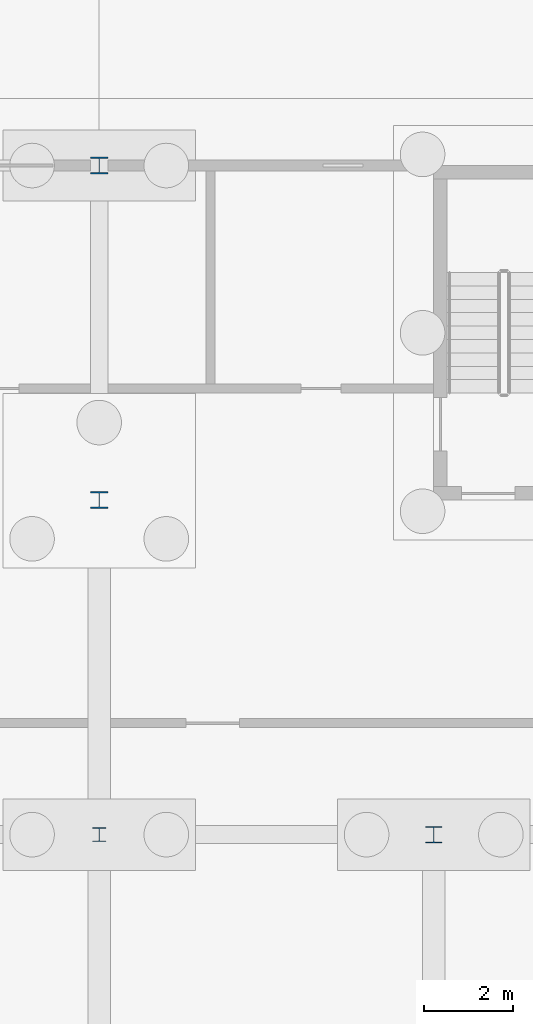
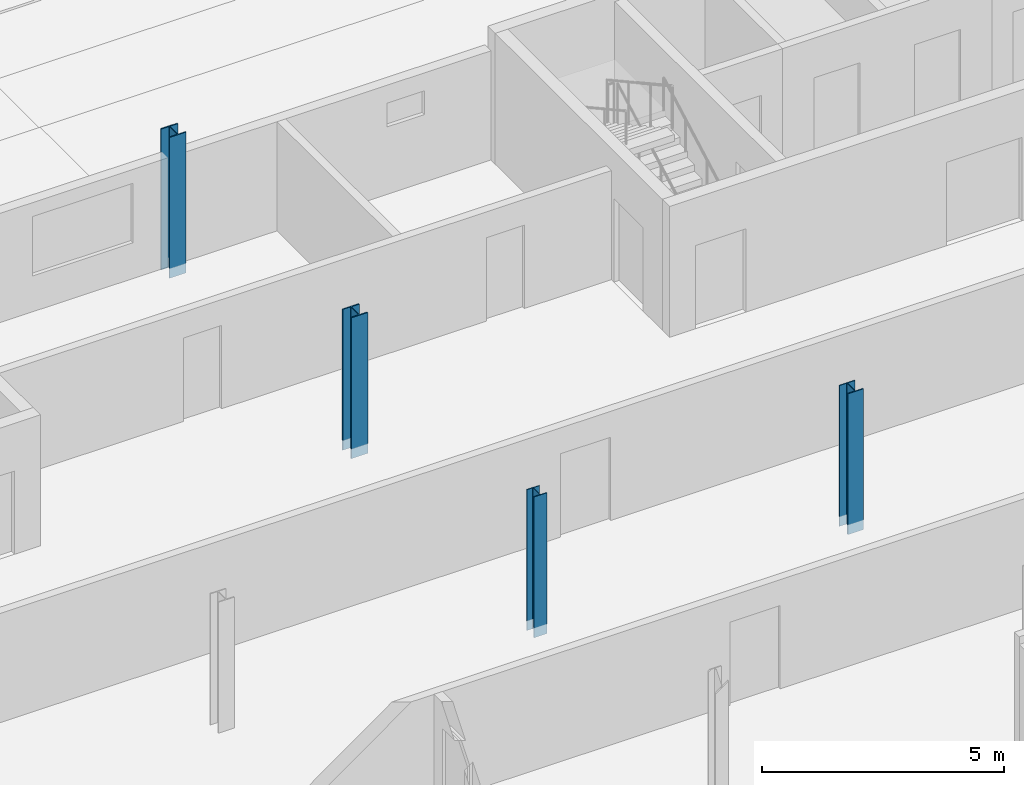
# One storey, part 21 of 130: 4 columns.
"""IFC4 building model written with IfcOpenShell, lengths in metres."""

from ifc_helpers import new_model, si_unit, direction, frame, origin, origin_2d, place, context, subcontext, project, spatial, i_section, extrude, material, material_profile, profile_set, type_object, element, save


model = new_model("IFC4")

# Units and contexts
model_context = context("Model", 3, precision=1e-05, world=origin(), true_north=direction((0.0, 1.0)))
body_context = subcontext(model_context, "Body", "Model", "MODEL_VIEW")
ifc_project = project(units=[si_unit("LENGTHUNIT", "METRE"), si_unit("AREAUNIT", "SQUARE_METRE"), si_unit("VOLUMEUNIT", "CUBIC_METRE"), si_unit("PLANEANGLEUNIT", "RADIAN"), si_unit("MASSUNIT", "GRAM", prefix="KILO")], contexts=[model_context])

# Site, building, storey
site_placement = place(None, origin())
site = spatial("IfcSite", under=ifc_project, at=site_placement, CompositionType="ELEMENT")
building_placement = place(site_placement, origin())
building = spatial("IfcBuilding", under=site, at=building_placement, Name="Parallax Yard Mobility Hub", CompositionType="ELEMENT")
storey_placement = place(building_placement, origin())
storey = spatial("IfcBuildingStorey", under=building, at=storey_placement, Name="L00", CompositionType="ELEMENT", Elevation=0.0)

# Columns
ifc_material = material(Name="Steel ASTM A992", Category="steel")
ifc_material_profile_1 = material_profile(ifc_material, i_section(OverallWidth=0.306884765625, OverallDepth=0.318115234375, WebThickness=0.01318359375, FlangeThickness=0.0205078125, FilletRadius=0.01513671875, at=origin_2d()), Name="W310x129")
ifc_profile_set_1 = profile_set([ifc_material_profile_1], Name="Steel ASTM A992")
column_type_1 = type_object("IfcColumnType", Name="W310x129 column", PredefinedType="COLUMN", material=ifc_profile_set_1)
column_1_placement = place(storey_placement, frame((120.0, 37.5, -0.25), z_axis=(0.0, 0.0, 1.0), x_axis=(1.0, 0.0, 0.0)))
element("IfcColumn", 1, at=column_1_placement, inside=storey, type_object=column_type_1, Name="Column C3 level L00 at F/17 of mobility service centre and workshops", PredefinedType="COLUMN", context=body_context, shape_type="SweptSolid", body=[
    extrude(i_section(OverallWidth=0.306884765625, OverallDepth=0.318115234375, WebThickness=0.01318359375, FlangeThickness=0.0205078125, FilletRadius=0.01513671875, at=origin_2d()), origin(), (0.0, 0.0, 1.0), 3.550048828125),
])
ifc_material_profile_2 = material_profile(ifc_material, i_section(OverallWidth=0.373046875, OverallDepth=0.367919921875, WebThickness=0.014892578125, FlangeThickness=0.02392578125, FilletRadius=0.01513671875, at=origin_2d()), Name="W360x179")
ifc_profile_set_2 = profile_set([ifc_material_profile_2], Name="Steel ASTM A992")
column_type_2 = type_object("IfcColumnType", Name="W360x179 column", PredefinedType="COLUMN", material=ifc_profile_set_2)
column_2_placement = place(storey_placement, frame((127.5, 37.5, -0.25), z_axis=(0.0, 0.0, 1.0), x_axis=(1.0, 0.0, 0.0)))
element("IfcColumn", 2, at=column_2_placement, inside=storey, type_object=column_type_2, Name="Column C7 level L00 at F/18 of mobility service centre and workshops", PredefinedType="COLUMN", context=body_context, shape_type="SweptSolid", body=[
    extrude(i_section(OverallWidth=0.373046875, OverallDepth=0.367919921875, WebThickness=0.014892578125, FlangeThickness=0.02392578125, FilletRadius=0.01513671875, at=origin_2d()), origin(), (0.0, 0.0, 1.0), 3.550048828125),
])
ifc_material_profile_3 = material_profile(ifc_material, i_section(OverallWidth=0.39404296875, OverallDepth=0.3759765625, WebThickness=0.017333984375, FlangeThickness=0.027587890625, FilletRadius=0.01513671875, at=origin_2d()), Name="W360x216")
ifc_profile_set_3 = profile_set([ifc_material_profile_3], Name="Steel ASTM A992")
column_type_3 = type_object("IfcColumnType", Name="W360x216 column", PredefinedType="COLUMN", material=ifc_profile_set_3)
column_3_placement = place(storey_placement, frame((120.0, 52.5, -0.25), z_axis=(0.0, 0.0, 1.0), x_axis=(1.0, 0.0, 0.0)))
element("IfcColumn", 3, at=column_3_placement, inside=storey, type_object=column_type_3, Name="Column C9 level L00 at H/17 of mobility service centre and workshops", PredefinedType="COLUMN", context=body_context, shape_type="SweptSolid", body=[
    extrude(i_section(OverallWidth=0.39404296875, OverallDepth=0.3759765625, WebThickness=0.017333984375, FlangeThickness=0.027587890625, FilletRadius=0.01513671875, at=origin_2d()), origin(), (0.0, 0.0, 1.0), 3.550048828125),
])
ifc_material_profile_4 = material_profile(ifc_material, i_section(OverallWidth=0.39599609375, OverallDepth=0.381103515625, WebThickness=0.018798828125, FlangeThickness=0.0302734375, FilletRadius=0.015380859375, at=origin_2d()), Name="W360x237")
ifc_profile_set_4 = profile_set([ifc_material_profile_4], Name="Steel ASTM A992")
column_type_4 = type_object("IfcColumnType", Name="W360x237 column", PredefinedType="COLUMN", material=ifc_profile_set_4)
column_4_placement = place(storey_placement, frame((120.0, 45.0, -0.25), z_axis=(0.0, 0.0, 1.0), x_axis=(1.0, 0.0, 0.0)))
element("IfcColumn", 4, at=column_4_placement, inside=storey, type_object=column_type_4, Name="Column C10 level L00 at G/17 of mobility service centre and workshops", PredefinedType="COLUMN", context=body_context, shape_type="SweptSolid", body=[
    extrude(i_section(OverallWidth=0.39599609375, OverallDepth=0.381103515625, WebThickness=0.018798828125, FlangeThickness=0.0302734375, FilletRadius=0.015380859375, at=origin_2d()), origin(), (0.0, 0.0, 1.0), 3.550048828125),
])

save(model, "model.ifc")
